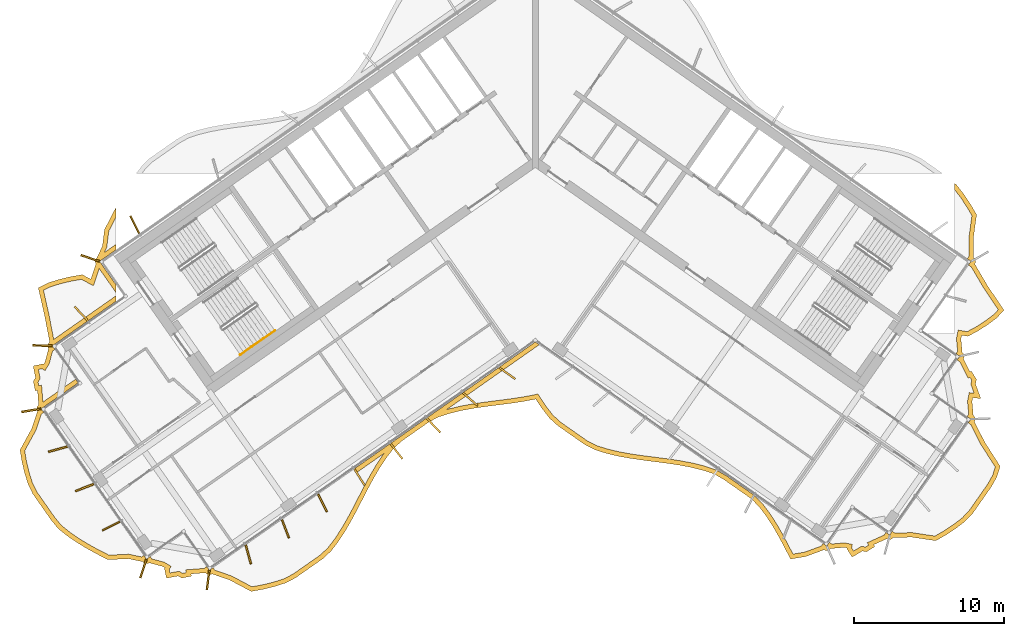
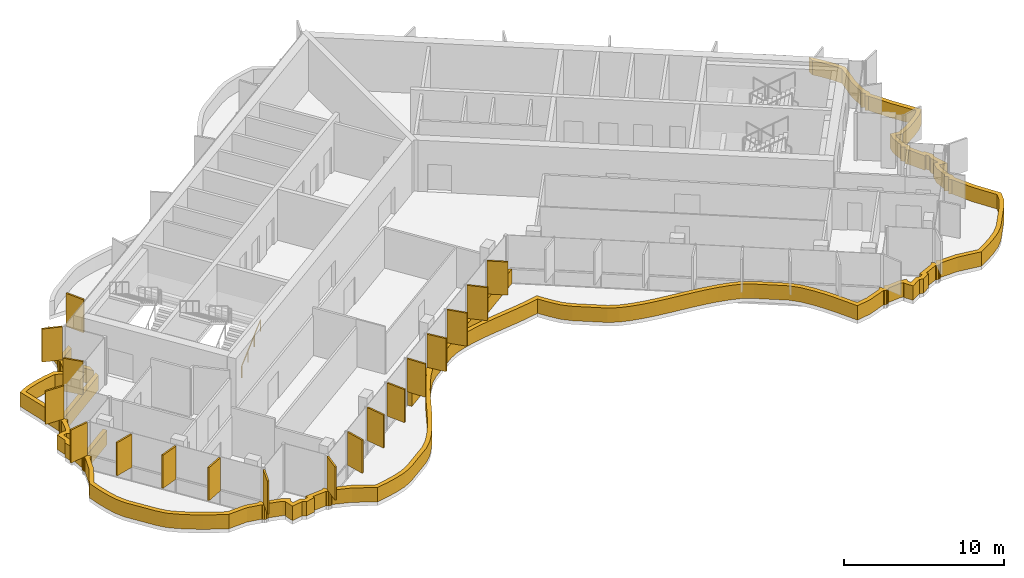
# One storey, part 13 of 17: 19 shading devices, 1 railing.
"""IFC4 building model written with IfcOpenShell, lengths in metres."""

from ifc_helpers import new_model, si_unit, direction, frame, origin, origin_2d, place, context, subcontext, project, spatial, polyline, rectangle, circle, outline, extrude, material, layer, layer_set, type_object, element, save


model = new_model("IFC4")

# Units and contexts
model_context = context("Model", 3, precision=1e-05, world=origin(), true_north=direction((0.0, 1.0)))
body_context = subcontext(model_context, "Body", "Model", "MODEL_VIEW")
ifc_project = project(units=[si_unit("LENGTHUNIT", "METRE"), si_unit("AREAUNIT", "SQUARE_METRE"), si_unit("VOLUMEUNIT", "CUBIC_METRE"), si_unit("PLANEANGLEUNIT", "RADIAN"), si_unit("MASSUNIT", "GRAM", prefix="KILO")], contexts=[model_context])

# Site, building, storey
site_placement = place(None, origin())
site = spatial("IfcSite", under=ifc_project, at=site_placement, CompositionType="ELEMENT")
building_placement = place(site_placement, origin())
building = spatial("IfcBuilding", under=site, at=building_placement, Name="Tel Ilan Convention Tower", CompositionType="ELEMENT")
storey_placement = place(building_placement, frame((0.0, 0.0, 287.800048828125)))
storey = spatial("IfcBuildingStorey", under=building, at=storey_placement, Name="L68", CompositionType="ELEMENT", Elevation=287.800048828125)

# Shading devices
ifc_material_1 = material(Name="Aluminium, bronze anodised", Category="aluminium")
ifc_layer_1 = layer(ifc_material_1, 0.1201171875)
ifc_layer_set_1 = layer_set([ifc_layer_1], Name="FIN BRONZE 1300x120")
shading_device_type_1 = type_object("IfcShadingDeviceType", Name="FIN BRONZE 1300x120", PredefinedType="USERDEFINED", material=ifc_layer_set_1)
for number, where, z_axis, x_axis, name in (
    (1, (-26.62255859375, -5.028076171875, 1.099853515625), (0.0, 0.0, 1.0), (-0.448799180206, 0.893632640321, 0.0), "FIN"),
    (2, (-29.583984375, -7.253173828125, 1.099853515625), (0.0, 0.0, 1.0), (-0.949242643575, 0.314544756146, 0.0), "FIN"),
    (3, (-30.17919921875, -10.9365234375, 1.099853515625), (0.0, 0.0, 1.0), (-0.686241637865, 0.727373641577, 0.0), "FIN"),
    (4, (-32.76171875, -13.05908203125, 1.099853515625), (0.0, 0.0, 1.0), (-0.999576950082, 0.029084718749, 0.0), "FIN"),
    (5, (-33.5009765625, -17.36083984375, 1.099853515625), (0.0, 0.0, 1.0), (-0.986445172547, -0.16409119891, 0.0), "FIN"),
    (6, (-31.7333984375, -19.94140625, 1.099853515625), (0.0, 0.0, 1.0), (-0.963370878614, -0.268172612768, 0.0), "FIN"),
    (7, (-29.95947265625, -22.49658203125, 1.099853515625), (0.0, 0.0, 1.0), (-0.932883704733, -0.360177724803, 0.0), "FIN"),
    (8, (-28.179931640625, -25.04931640625, 1.099853515625), (0.0, 0.0, 1.0), (-0.893632640321, -0.448799180206, 0.0), "FIN"),
    (9, (-26.048828125, -27.876220703125, 1.099853515625), (0.0, 0.0, 1.0), (-0.314544756146, -0.949242643575, 0.0), "FIN"),
    (10, (-21.746826171875, -28.63525390625, 1.099853515625), (0.0, 0.0, 1.0), (-0.125718016748, -0.992066016082, 0.0), "FIN"),
    (11, (-19.072021484375, -26.944580078125, 1.099853515625), (0.0, 0.0, 1.0), (0.268172612768, -0.963370878614, 0.0), "FIN"),
    (12, (-16.6083984375, -25.234619140625, 1.099853515625), (0.0, 0.0, 1.0), (0.360177724803, -0.932883704733, 0.0), "FIN"),
    (13, (-14.146728515625, -23.51904296875, 1.099853515625), (0.0, 0.0, 1.0), (0.448799180206, -0.893632640321, 0.0), "FIN"),
    (14, (-11.68798828125, -21.797607421875, 1.099853515625), (0.0, 0.0, 1.0), (0.533204432798, -0.845986425922, 0.0), "FIN"),
    (15, (-9.229248046875, -20.075927734375, 1.099853515625), (0.0, 0.0, 1.0), (0.612600545196, -0.790392669516, 0.0), "FIN"),
    (16, (-6.770751953125, -18.354248046875, 1.099853515625), (0.0, 0.0, 1.0), (0.686241637865, -0.727373641577, 0.0), "FIN"),
    (17, (-4.316650390625, -16.6279296875, 1.099853515625), (0.0, 0.0, 1.0), (0.753435896329, -0.657521368568, 0.0), "FIN"),
    (18, (-1.8671875, -14.897705078125, 1.099853515625), (0.0, 0.0, 1.0), (0.813552070258, -0.581492071294, 0.0), "FIN"),
):
    element("IfcShadingDevice", number, at=place(storey_placement, frame(where, z_axis=z_axis, x_axis=x_axis)), inside=storey, type_object=shading_device_type_1, Name=name, ObjectType="FIN", PredefinedType="USERDEFINED", context=body_context, shape_type="SweptSolid", body=[
        extrude(rectangle(XDim=1.300048828125, YDim=0.1201171875, at=origin_2d()), origin(), (0.0, 0.0, 1.0), 2.52001953125),
    ])
ifc_material_2 = material(Name="Aluminium, bronze anodised", Category="aluminium")
ifc_layer_2 = layer(ifc_material_2, 0.300048828125)
ifc_layer_set_2 = layer_set([ifc_layer_2], Name="LOUVRE BAND 300x1100")
shading_device_type_2 = type_object("IfcShadingDeviceType", Name="LOUVRE BAND 300x1100", PredefinedType="USERDEFINED", material=ifc_layer_set_2)
shading_device_placement = place(storey_placement, origin())
element("IfcShadingDevice", 19, at=shading_device_placement, inside=storey, type_object=shading_device_type_2, Name="LOUVRE BAND 51.01", ObjectType="LOUVRE", PredefinedType="USERDEFINED", context=body_context, shape_type="SweptSolid", body=[
    extrude(outline(polyline([(-33.47021484375, -18.574462890625), (-34.248779296875, -19.995849609375), (-34.1181640625, -20.780517578125), (-33.940185546875, -21.531982421875), (-33.7158203125, -22.2509765625), (-33.401611328125, -22.906982421875), (-32.166748046875, -24.670654296875), (-31.707763671875, -25.22509765625), (-31.125732421875, -25.69384765625), (-30.49462890625, -26.1279296875), (-29.82373046875, -26.5341796875), (-29.12353515625, -26.920166015625), (-28.398193359375, -27.288330078125), (-27.05419921875, -27.223388671875), (-26.083984375, -27.420166015625), (-26.05517578125, -27.46337890625), (-25.957763671875, -27.5283203125), (-25.843017578125, -27.55126953125), (-25.728271484375, -27.5283203125), (-25.674072265625, -27.492431640625), (-24.7724609375, -27.73388671875), (-24.61669921875, -27.828857421875), (-24.64697265625, -27.878662109375), (-24.51416015625, -28.518310546875), (-23.728759765625, -28.3701171875), (-23.49462890625, -28.5126953125), (-22.855224609375, -28.3798828125), (-22.8828125, -28.233154296875), (-21.90576171875, -28.15673828125), (-21.876953125, -28.2001953125), (-21.779541015625, -28.26513671875), (-21.664794921875, -28.2880859375), (-21.550048828125, -28.26513671875), (-21.49609375, -28.22900390625), (-20.311279296875, -28.64013671875), (-18.883544921875, -29.3984375), (-18.087646484375, -29.25439453125), (-17.32080078125, -29.068359375), (-16.588623046875, -28.833251953125), (-15.931640625, -28.490478515625), (-14.12646484375, -27.226318359375), (-13.582763671875, -26.721923828125), (-13.1123046875, -26.113037109375), (-12.67626953125, -25.454833984375), (-12.267333984375, -24.7578125), (-11.87744140625, -24.0341796875), (-11.11572265625, -22.56005859375), (-10.724853515625, -21.83740234375), (-10.314697265625, -21.142333984375), (-9.877197265625, -20.486572265625), (-9.404541015625, -19.88037109375), (-8.85498046875, -19.384765625), (-7.049560546875, -18.12060546875), (-6.386474609375, -17.78662109375), (-5.65234375, -17.55419921875), (-4.884033203125, -17.370849609375), (-4.088623046875, -17.225830078125), (-3.274658203125, -17.107421875), (-1.629150390625, -16.895751953125), (-0.816650390625, -16.775146484375), (0.03369140625, -16.6123046875), (0.481201171875, -17.28466796875), (0.956298828125, -17.894287109375), (1.509765625, -18.392333984375), (3.325927734375, -19.663818359375), (3.99609375, -19.9951171875), (4.73583984375, -20.22705078125), (5.510009765625, -20.40966796875), (6.311279296875, -20.553955078125), (7.130615234375, -20.672119140625), (8.785888671875, -20.885009765625), (9.601806640625, -21.008056640625), (10.3974609375, -21.16015625), (11.16455078125, -21.353271484375), (11.8955078125, -21.59765625), (12.540283203125, -21.965087890625), (14.356201171875, -23.23681640625), (14.88330078125, -23.7724609375), (15.349853515625, -24.39453125), (15.782958984375, -25.064453125), (16.18994140625, -25.771728515625), (16.57958984375, -26.50341796875), (16.96240234375, -27.2451171875), (17.983642578125, -27.074951171875), (19.202392578125, -26.623046875), (19.25634765625, -26.6591796875), (19.37109375, -26.681884765625), (19.486083984375, -26.6591796875), (19.583251953125, -26.593994140625), (19.6123046875, -26.55078125), (20.542236328125, -26.469482421875), (20.72119140625, -26.50537109375), (20.709716796875, -26.5625), (21.052978515625, -27.1181640625), (21.740478515625, -26.710205078125), (22.00927734375, -26.76416015625), (22.564697265625, -26.420654296875), (22.488525390625, -26.292236328125), (23.380615234375, -25.88623046875), (23.4345703125, -25.92236328125), (23.54931640625, -25.9453125), (23.6640625, -25.92236328125), (23.761474609375, -25.857421875), (23.79052734375, -25.81396484375), (25.015625, -25.789306640625), (26.617919921875, -26.0283203125), (27.311767578125, -25.631591796875), (27.9609375, -25.203369140625), (28.5625, -24.741943359375), (29.068603515625, -24.213623046875), (30.31298828125, -22.436767578125), (30.669189453125, -21.803466796875), (30.8984375, -21.081298828125), (29.872314453125, -19.47998046875), (29.18212890625, -18.114013671875), (29.218017578125, -18.06005859375), (29.240966796875, -17.9453125), (29.218017578125, -17.830322265625), (29.153076171875, -17.733154296875), (29.10986328125, -17.7041015625), (29.028564453125, -16.774169921875), (29.080322265625, -16.5166015625), (29.61181640625, -16.583740234375), (29.26171875, -15.613037109375), (29.3232421875, -15.30712890625), (28.979736328125, -14.751708984375), (28.889404296875, -14.80517578125), (28.4453125, -13.935791015625), (28.4814453125, -13.8818359375), (28.504150390625, -13.76708984375), (28.4814453125, -13.652099609375), (28.416259765625, -13.554931640625), (28.373046875, -13.52587890625), (28.291748046875, -12.595947265625), (28.33642578125, -12.373291015625), (28.752685546875, -12.44189453125), (29.445068359375, -12.072265625), (30.077880859375, -11.660888671875), (30.66748046875, -11.218994140625), (31.151123046875, -10.703125), (30.056640625, -9.082275390625), (29.199951171875, -7.6279296875), (29.236083984375, -7.57373046875), (29.2587890625, -7.458984375), (29.236083984375, -7.34423828125), (29.1708984375, -7.246826171875), (29.127685546875, -7.218017578125), (29.10986328125, -5.95947265625), (29.331298828125, -4.35888671875), (28.922119140625, -3.659423828125), (28.48388671875, -3.001220703125), (28.0107421875, -2.392822265625), (27.874755859375, -2.269287109375), (27.874755859375, -2.70654296875), (28.240234375, -3.176513671875), (28.66748046875, -3.818359375), (29.02001953125, -4.420654296875), (28.809326171875, -5.941162109375), (28.829345703125, -7.12109375), (28.713134765625, -7.286865234375), (28.958740234375, -7.458984375), (28.787353515625, -7.705322265625), (28.97900390625, -7.83935546875), (29.802734375, -9.2421875), (30.7685546875, -10.672607421875), (30.466552734375, -10.99462890625), (29.906005859375, -11.414794921875), (29.292236328125, -11.813720703125), (28.701171875, -12.12939453125), (28.099365234375, -12.0302734375), (27.989013671875, -12.579833984375), (28.067626953125, -13.439208984375), (27.95849609375, -13.594970703125), (28.204345703125, -13.76708984375), (28.03271484375, -14.01318359375), (28.21630859375, -14.141845703125), (28.766845703125, -15.226806640625), (28.87939453125, -15.159912109375), (29.005859375, -15.3642578125), (28.951171875, -15.635986328125), (29.163330078125, -16.224853515625), (28.841064453125, -16.18408203125), (28.725830078125, -16.758056640625), (28.80419921875, -17.617431640625), (28.6953125, -17.773193359375), (28.94091796875, -17.9453125), (28.76953125, -18.19140625), (28.95263671875, -18.319580078125), (29.611328125, -19.62890625), (30.56982421875, -21.12451171875), (30.392578125, -21.68310546875), (30.05859375, -22.276611328125), (28.836181640625, -24.022705078125), (28.36181640625, -24.517822265625), (27.78662109375, -24.958740234375), (27.154541015625, -25.3759765625), (26.559326171875, -25.71630859375), (25.034423828125, -25.48876953125), (23.886474609375, -25.51513671875), (23.721435546875, -25.3994140625), (23.54931640625, -25.645263671875), (23.30322265625, -25.473876953125), (23.1787109375, -25.6513671875), (22.059326171875, -26.156982421875), (22.156494140625, -26.320556640625), (21.9521484375, -26.44677734375), (21.6865234375, -26.393310546875), (21.1533203125, -26.709716796875), (21.027099609375, -26.505615234375), (21.07421875, -26.2705078125), (20.558349609375, -26.166748046875), (19.698974609375, -26.245361328125), (19.543212890625, -26.13623046875), (19.37109375, -26.382080078125), (19.125, -26.21044921875), (19.00732421875, -26.378662109375), (17.90673828125, -26.78369140625), (17.12890625, -26.913330078125), (16.452392578125, -25.626220703125), (16.0390625, -24.908203125), (15.59619140625, -24.222900390625), (15.111328125, -23.576416015625), (14.55078125, -23.0068359375), (12.700927734375, -21.71142578125), (12.0185546875, -21.322509765625), (11.248779296875, -21.06494140625), (10.46240234375, -20.866943359375), (9.65234375, -20.712158203125), (8.827392578125, -20.587890625), (7.171142578125, -20.374755859375), (6.359375, -20.2578125), (5.571044921875, -20.11572265625), (4.815185546875, -19.9375), (4.108154296875, -19.7158203125), (3.479248046875, -19.405029296875), (1.697021484375, -18.156982421875), (1.1767578125, -17.68896484375), (0.724609375, -17.10888671875), (0.29541015625, -16.465576171875), (0.1787109375, -16.2666015625), (-0.087890625, -16.33349609375), (-0.866455078125, -16.479248046875), (-1.67041015625, -16.5986328125), (-3.315185546875, -16.81005859375), (-4.136962890625, -16.9296875), (-4.945556640625, -17.0771484375), (-5.732666015625, -17.264892578125), (-5.906005859375, -17.31982421875), (0.261474609375, -13.001220703125), (0.0, -12.818115234375), (-12.00537109375, -21.224365234375), (-11.833251953125, -21.47021484375), (-10.0517578125, -20.22265625), (-10.12060546875, -20.310791015625), (-10.56884765625, -20.982666015625), (-10.986083984375, -21.68994140625), (-11.380859375, -22.419677734375), (-12.142578125, -23.89404296875), (-12.529052734375, -24.61083984375), (-12.930908203125, -25.2958984375), (-13.356201171875, -25.938232421875), (-13.804931640625, -26.518798828125), (-14.315185546875, -26.992431640625), (-16.087890625, -28.233642578125), (-16.704833984375, -28.555419921875), (-17.402099609375, -28.779541015625), (-18.149658203125, -28.960693359375), (-18.83447265625, -29.084716796875), (-20.19140625, -28.3642578125), (-21.302978515625, -27.981689453125), (-21.418701171875, -27.816650390625), (-21.664794921875, -27.988037109375), (-21.8369140625, -27.7421875), (-22.01513671875, -27.8671875), (-23.239990234375, -27.959228515625), (-23.20458984375, -28.14599609375), (-23.439697265625, -28.19482421875), (-23.671142578125, -28.053955078125), (-24.2802734375, -28.1689453125), (-24.3291015625, -27.933837890625), (-24.204345703125, -27.72900390625), (-24.65380859375, -27.455078125), (-25.48828125, -27.23486328125), (-25.5966796875, -27.079833984375), (-25.843017578125, -27.251220703125), (-26.01513671875, -27.005615234375), (-26.15478515625, -27.103271484375), (-27.03076171875, -26.921875), (-28.333251953125, -26.98486328125), (-28.983154296875, -26.65478515625), (-29.673583984375, -26.2744140625), (-30.331787109375, -25.8759765625), (-30.946533203125, -25.453125), (-31.495849609375, -25.010498046875), (-31.927978515625, -24.488525390625), (-33.141845703125, -22.755126953125), (-33.43603515625, -22.140869140625), (-33.650634765625, -21.45263671875), (-33.823974609375, -20.72119140625), (-33.935791015625, -20.048828125), (-33.1943359375, -18.6953125), (-32.833251953125, -17.61865234375), (-32.66845703125, -17.50341796875), (-32.840576171875, -17.257568359375), (-30.383056640625, -15.536865234375), (-30.55517578125, -15.291015625), (-32.726806640625, -16.811767578125), (-32.811767578125, -15.6826171875), (-32.998779296875, -15.7177734375), (-33.047607421875, -15.482666015625), (-32.906494140625, -15.251220703125), (-33.021484375, -14.64208984375), (-32.786376953125, -14.59326171875), (-32.58154296875, -14.718017578125), (-32.3076171875, -14.268798828125), (-32.087646484375, -13.434326171875), (-31.931884765625, -13.3251953125), (-32.103759765625, -13.079345703125), (-27.874755859375, -10.1181640625), (-27.874755859375, -9.751953125), (-32.006591796875, -12.64501953125), (-32.314697265625, -11.033447265625), (-32.68798828125, -9.385986328125), (-32.26708984375, -9.168701171875), (-31.5771484375, -8.950439453125), (-30.838623046875, -8.77392578125), (-30.161376953125, -8.65625), (-29.363525390625, -9.087646484375), (-28.9892578125, -7.938720703125), (-27.874755859375, -9.530029296875), (-27.874755859375, -9.007080078125), (-28.958740234375, -7.458984375), (-27.874755859375, -6.699951171875), (-27.874755859375, -6.333740234375), (-28.640380859375, -6.869873046875), (-28.480224609375, -6.525634765625), (-28.343994140625, -5.44384765625), (-27.874755859375, -4.536376953125), (-27.874755859375, -3.881103515625), (-28.635009765625, -5.353271484375), (-28.772216796875, -6.441650390625), (-29.127685546875, -7.218017578125), (-29.1708984375, -7.246826171875), (-29.236083984375, -7.34423828125), (-29.2587890625, -7.458984375), (-29.236083984375, -7.57373046875), (-29.199951171875, -7.6279296875), (-29.537353515625, -8.652587890625), (-30.110107421875, -8.3427734375), (-30.899169921875, -8.47998046875), (-31.6572265625, -8.661376953125), (-32.3818359375, -8.890380859375), (-33.031982421875, -9.225830078125), (-32.6083984375, -11.094970703125), (-32.272705078125, -12.83837890625), (-32.31591796875, -12.8671875), (-32.381103515625, -12.964599609375), (-32.40380859375, -13.079345703125), (-32.381103515625, -13.1943359375), (-32.344970703125, -13.248291015625), (-32.586669921875, -14.14990234375), (-32.681640625, -14.3056640625), (-32.7314453125, -14.275390625), (-33.370849609375, -14.408203125), (-33.22265625, -15.193603515625), (-33.365478515625, -15.427734375), (-33.232666015625, -16.067138671875), (-33.0859375, -16.03955078125), (-33.009521484375, -17.0166015625), (-33.052734375, -17.04541015625), (-33.11767578125, -17.142822265625), (-33.140625, -17.257568359375), (-33.11767578125, -17.372314453125), (-33.081787109375, -17.426513671875), (-33.47021484375, -18.574462890625)])), origin(), (0.0, 0.0, 1.0), 1.099853515625),
])

# Railing
ifc_material_3 = material(Name="Stainless Steel Grade 316", Category="steel")
railing_type = type_object("IfcRailingType", Name="Stainless Steel Stair Handrail 900 mm", PredefinedType="HANDRAIL", material=ifc_material_3)
railing_placement = place(storey_placement, frame((-19.6064453125, -13.66748046875, 0.17724609375)))
element("IfcRailing", 20, at=railing_placement, inside=storey, type_object=railing_type, Name="L68 S2 stair handrail 1", PredefinedType="HANDRAIL", context=body_context, shape_type="SweptSolid", body=[
    extrude(circle(Radius=0.02392578125, at=origin_2d()), frame((0.0, 0.0, 0.8759765625), z_axis=(0.692123088272, 0.484596665743, 0.534912798717), x_axis=(-0.573550118428, 0.819170471667, 0.0)), (0.0, 0.0, 1.0), 3.31396484375),
    extrude(circle(Radius=0.02099609375, at=origin_2d()), origin(), (0.0, 0.0, 1.0), 0.851806640625),
    extrude(circle(Radius=0.02099609375, at=origin_2d()), frame((0.7646484375, 0.535400390625, 0.5908203125)), (0.0, 0.0, 1.0), 0.851806640625),
    extrude(circle(Radius=0.02099609375, at=origin_2d()), frame((1.529052734375, 1.070556640625, 1.181884765625)), (0.0, 0.0, 1.0), 0.851806640625),
    extrude(circle(Radius=0.02099609375, at=origin_2d()), frame((2.293701171875, 1.60595703125, 1.772705078125)), (0.0, 0.0, 1.0), 0.851806640625),
])

save(model, "model.ifc")
